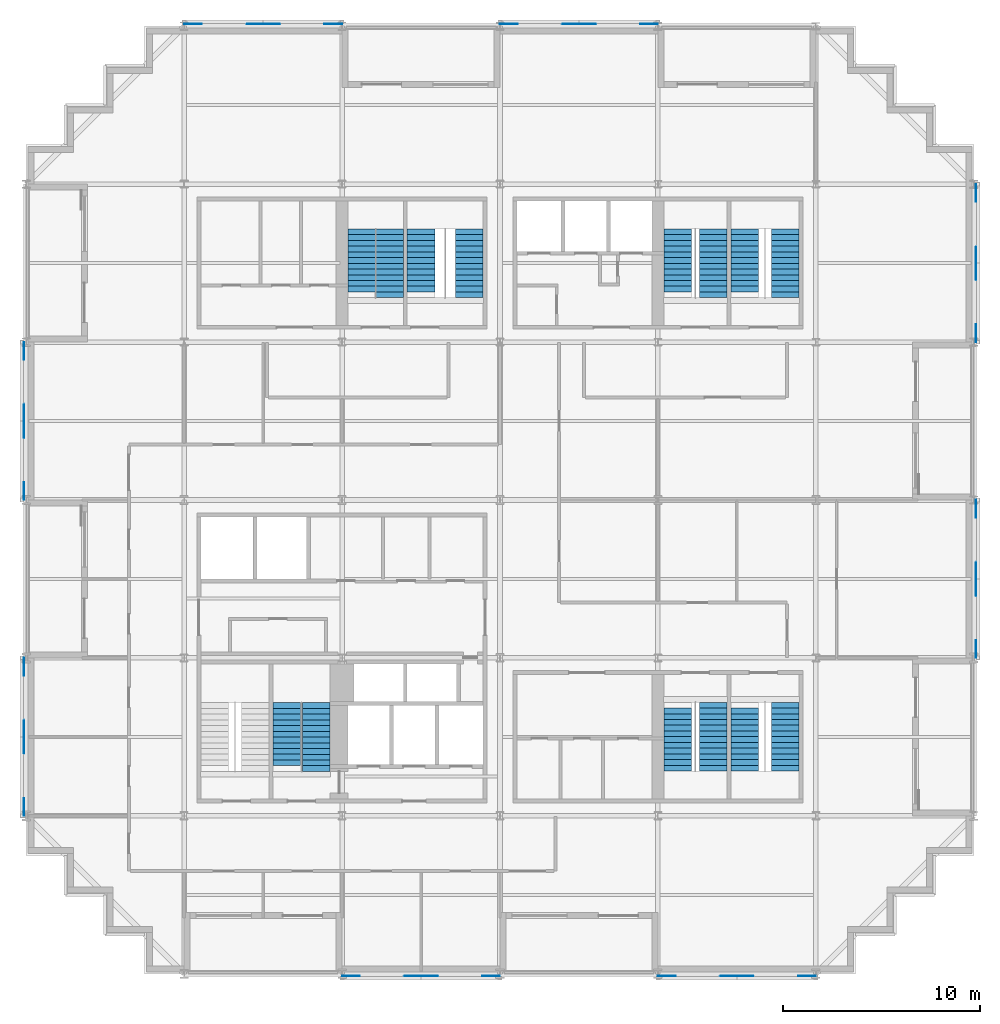
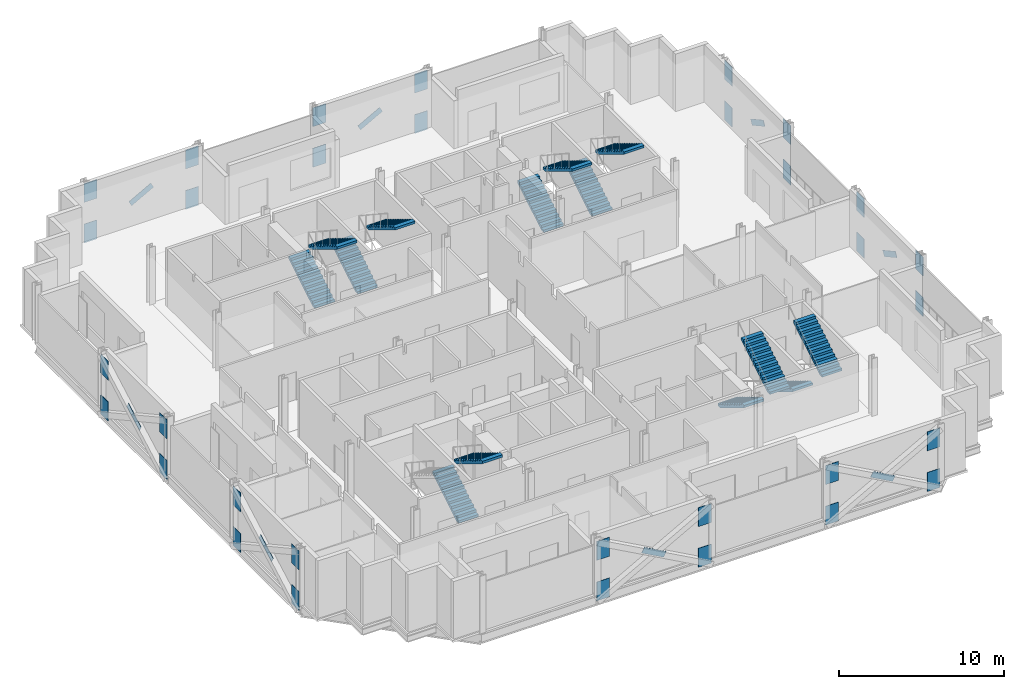
# One storey, part 11 of 13: 40 discrete accessories, 14 stair flights, 7 elements without a shape of their own.
"""IFC4 building model written with IfcOpenShell, lengths in metres."""

from ifc_helpers import new_model, si_unit, direction, frame, origin, origin_2d, place, context, subcontext, project, spatial, polyline, rectangle, outline, extrude, material, material_profile, profile_set, type_object, element, aggregate, save


model = new_model("IFC4")

# Units and contexts
model_context = context("Model", 3, precision=1e-05, world=origin(), true_north=direction((0.0, 1.0)))
body_context = subcontext(model_context, "Body", "Model", "MODEL_VIEW")
ifc_project = project(units=[si_unit("LENGTHUNIT", "METRE"), si_unit("AREAUNIT", "SQUARE_METRE"), si_unit("VOLUMEUNIT", "CUBIC_METRE"), si_unit("PLANEANGLEUNIT", "RADIAN"), si_unit("MASSUNIT", "GRAM", prefix="KILO")], contexts=[model_context])

# Site, building, storey
site_placement = place(None, origin())
site = spatial("IfcSite", under=ifc_project, at=site_placement, CompositionType="ELEMENT")
building_placement = place(site_placement, origin())
building = spatial("IfcBuilding", under=site, at=building_placement, Name="Immortelle Media Tower", CompositionType="ELEMENT")
storey_placement = place(building_placement, frame((0.0, 0.0, 74.39990234375)))
storey = spatial("IfcBuildingStorey", under=building, at=storey_placement, Name="L13", CompositionType="ELEMENT", Elevation=74.39990234375)

# Stair, stair flights
ifc_material_1 = material(Name="Steel ASTM A992 Gr 50", Category="steel")
stair_type = type_object("IfcStairType", Name="Stair with flights", PredefinedType="DOUBLE_RETURN_STAIR", material=ifc_material_1)
stair_1_placement = place(storey_placement, origin())
stair_1 = element("IfcStair", 1, at=stair_1_placement, inside=storey, type_object=stair_type, Name="Exit stair SW2", PredefinedType="DOUBLE_RETURN_STAIR")
stair_flight_type = type_object("IfcStairFlightType", Name="Stair flight 1400", PredefinedType="STRAIGHT", material=ifc_material_1)
stair_flight_1_placement = place(storey_placement, frame((13.199951171875, 10.5400390625, 0.0), z_axis=(0.0, 0.0, 1.0), x_axis=(0.0, 1.0, 0.0)))
stair_flight_1 = element("IfcStairFlight", 2, at=stair_flight_1_placement, type_object=stair_flight_type, Name="ST SW2 flight 1", NumberOfRisers=12, NumberOfTreads=11, PredefinedType="STRAIGHT", RiserHeight=0.176, TreadLength=0.29, context=body_context, shape_type="SweptSolid", body=[
    extrude(outline(polyline([(0.0, 0.0), (0.0, 0.176025390625), (0.2900390625, 0.176025390625), (0.2900390625, 0.35205078125), (0.580078125, 0.35205078125), (0.580078125, 0.528076171875), (0.8701171875, 0.528076171875), (0.8701171875, 0.7041015625), (1.159912109375, 0.7041015625), (1.159912109375, 0.8798828125), (1.449951171875, 0.8798828125), (1.449951171875, 1.055908203125), (1.739990234375, 1.055908203125), (1.739990234375, 1.23193359375), (2.030029296875, 1.23193359375), (2.030029296875, 1.407958984375), (2.320068359375, 1.407958984375), (2.320068359375, 1.583984375), (2.610107421875, 1.583984375), (2.610107421875, 1.760009765625), (2.89990234375, 1.760009765625), (2.89990234375, 1.93603515625), (3.18994140625, 1.93603515625), (3.18994140625, 2.112060546875), (3.18994140625, 1.7607421875), (0.288818359375, 0.0), (0.0, 0.0)])), frame((0.0, 0.699951171875, 0.0), z_axis=(0.0, -1.0, 0.0), x_axis=(1.0, 0.0, 0.0)), (0.0, 0.0, 1.0), 1.39990234375),
])
stair_flight_2_placement = place(storey_placement, frame((14.699951171875, 13.72998046875, 2.112060546875), z_axis=(0.0, 0.0, 1.0), x_axis=(0.0, -1.0, 0.0)))
stair_flight_2 = element("IfcStairFlight", 3, at=stair_flight_2_placement, type_object=stair_flight_type, Name="ST SW2 flight 2", NumberOfRisers=13, NumberOfTreads=12, PredefinedType="STRAIGHT", RiserHeight=0.176, TreadLength=0.29, context=body_context, shape_type="SweptSolid", body=[
    extrude(outline(polyline([(0.0, 0.0), (0.0, 0.176025390625), (0.2900390625, 0.176025390625), (0.2900390625, 0.35205078125), (0.580078125, 0.35205078125), (0.580078125, 0.528076171875), (0.8701171875, 0.528076171875), (0.8701171875, 0.7041015625), (1.159912109375, 0.7041015625), (1.159912109375, 0.8798828125), (1.449951171875, 0.8798828125), (1.449951171875, 1.055908203125), (1.739990234375, 1.055908203125), (1.739990234375, 1.23193359375), (2.030029296875, 1.23193359375), (2.030029296875, 1.407958984375), (2.320068359375, 1.407958984375), (2.320068359375, 1.583984375), (2.610107421875, 1.583984375), (2.610107421875, 1.760009765625), (2.89990234375, 1.760009765625), (2.89990234375, 1.93603515625), (3.18994140625, 1.93603515625), (3.18994140625, 2.112060546875), (3.47998046875, 2.112060546875), (3.47998046875, 2.2880859375), (3.47998046875, 1.936767578125), (0.288818359375, 0.0), (0.0, 0.0)])), frame((0.0, 0.699951171875, 0.0), z_axis=(0.0, -1.0, 0.0), x_axis=(1.0, 0.0, 0.0)), (0.0, 0.0, 1.0), 1.39990234375),
])
aggregate(stair_1, [stair_flight_1, stair_flight_2])

stair_2_placement = place(storey_placement, origin())
stair_2 = element("IfcStair", 4, at=stair_2_placement, inside=storey, type_object=stair_type, Name="Exit stair SE1", PredefinedType="DOUBLE_RETURN_STAIR")
stair_flight_3_placement = place(storey_placement, frame((33.0, 13.4599609375, 0.0), z_axis=(0.0, 0.0, 1.0), x_axis=(0.0, -1.0, 0.0)))
stair_flight_3 = element("IfcStairFlight", 5, at=stair_flight_3_placement, type_object=stair_flight_type, Name="ST SE1 flight 1", NumberOfRisers=12, NumberOfTreads=11, PredefinedType="STRAIGHT", RiserHeight=0.176, TreadLength=0.29, context=body_context, shape_type="SweptSolid", body=[
    extrude(outline(polyline([(0.0, 0.0), (0.0, 0.176025390625), (0.2900390625, 0.176025390625), (0.2900390625, 0.35205078125), (0.580078125, 0.35205078125), (0.580078125, 0.528076171875), (0.8701171875, 0.528076171875), (0.8701171875, 0.7041015625), (1.159912109375, 0.7041015625), (1.159912109375, 0.8798828125), (1.449951171875, 0.8798828125), (1.449951171875, 1.055908203125), (1.739990234375, 1.055908203125), (1.739990234375, 1.23193359375), (2.030029296875, 1.23193359375), (2.030029296875, 1.407958984375), (2.320068359375, 1.407958984375), (2.320068359375, 1.583984375), (2.610107421875, 1.583984375), (2.610107421875, 1.760009765625), (2.89990234375, 1.760009765625), (2.89990234375, 1.93603515625), (3.18994140625, 1.93603515625), (3.18994140625, 2.112060546875), (3.18994140625, 1.7607421875), (0.288818359375, 0.0), (0.0, 0.0)])), frame((0.0, 0.699951171875, 0.0), z_axis=(0.0, -1.0, 0.0), x_axis=(1.0, 0.0, 0.0)), (0.0, 0.0, 1.0), 1.39990234375),
])
stair_flight_4_placement = place(storey_placement, frame((34.800048828125, 10.27001953125, 2.112060546875), z_axis=(0.0, 0.0, 1.0), x_axis=(0.0, 1.0, 0.0)))
stair_flight_4 = element("IfcStairFlight", 6, at=stair_flight_4_placement, type_object=stair_flight_type, Name="ST SE1 flight 2", NumberOfRisers=13, NumberOfTreads=12, PredefinedType="STRAIGHT", RiserHeight=0.176, TreadLength=0.29, context=body_context, shape_type="SweptSolid", body=[
    extrude(outline(polyline([(0.0, 0.0), (0.0, 0.176025390625), (0.2900390625, 0.176025390625), (0.2900390625, 0.35205078125), (0.580078125, 0.35205078125), (0.580078125, 0.528076171875), (0.8701171875, 0.528076171875), (0.8701171875, 0.7041015625), (1.159912109375, 0.7041015625), (1.159912109375, 0.8798828125), (1.449951171875, 0.8798828125), (1.449951171875, 1.055908203125), (1.739990234375, 1.055908203125), (1.739990234375, 1.23193359375), (2.030029296875, 1.23193359375), (2.030029296875, 1.407958984375), (2.320068359375, 1.407958984375), (2.320068359375, 1.583984375), (2.610107421875, 1.583984375), (2.610107421875, 1.760009765625), (2.89990234375, 1.760009765625), (2.89990234375, 1.93603515625), (3.18994140625, 1.93603515625), (3.18994140625, 2.112060546875), (3.47998046875, 2.112060546875), (3.47998046875, 2.2880859375), (3.47998046875, 1.936767578125), (0.288818359375, 0.0), (0.0, 0.0)])), frame((0.0, 0.699951171875, 0.0), z_axis=(0.0, -1.0, 0.0), x_axis=(1.0, 0.0, 0.0)), (0.0, 0.0, 1.0), 1.39990234375),
])
aggregate(stair_2, [stair_flight_3, stair_flight_4])

stair_3_placement = place(storey_placement, origin())
stair_3 = element("IfcStair", 7, at=stair_3_placement, inside=storey, type_object=stair_type, Name="Exit stair SE2", PredefinedType="DOUBLE_RETURN_STAIR")
stair_flight_5_placement = place(storey_placement, frame((36.39990234375, 13.4599609375, 0.0), z_axis=(0.0, 0.0, 1.0), x_axis=(0.0, -1.0, 0.0)))
stair_flight_5 = element("IfcStairFlight", 8, at=stair_flight_5_placement, type_object=stair_flight_type, Name="ST SE2 flight 1", NumberOfRisers=12, NumberOfTreads=11, PredefinedType="STRAIGHT", RiserHeight=0.176, TreadLength=0.29, context=body_context, shape_type="SweptSolid", body=[
    extrude(outline(polyline([(0.0, 0.0), (0.0, 0.176025390625), (0.2900390625, 0.176025390625), (0.2900390625, 0.35205078125), (0.580078125, 0.35205078125), (0.580078125, 0.528076171875), (0.8701171875, 0.528076171875), (0.8701171875, 0.7041015625), (1.159912109375, 0.7041015625), (1.159912109375, 0.8798828125), (1.449951171875, 0.8798828125), (1.449951171875, 1.055908203125), (1.739990234375, 1.055908203125), (1.739990234375, 1.23193359375), (2.030029296875, 1.23193359375), (2.030029296875, 1.407958984375), (2.320068359375, 1.407958984375), (2.320068359375, 1.583984375), (2.610107421875, 1.583984375), (2.610107421875, 1.760009765625), (2.89990234375, 1.760009765625), (2.89990234375, 1.93603515625), (3.18994140625, 1.93603515625), (3.18994140625, 2.112060546875), (3.18994140625, 1.7607421875), (0.288818359375, 0.0), (0.0, 0.0)])), frame((0.0, 0.699951171875, 0.0), z_axis=(0.0, -1.0, 0.0), x_axis=(1.0, 0.0, 0.0)), (0.0, 0.0, 1.0), 1.39990234375),
])
stair_flight_6_placement = place(storey_placement, frame((38.449951171875, 10.27001953125, 2.112060546875), z_axis=(0.0, 0.0, 1.0), x_axis=(0.0, 1.0, 0.0)))
stair_flight_6 = element("IfcStairFlight", 9, at=stair_flight_6_placement, type_object=stair_flight_type, Name="ST SE2 flight 2", NumberOfRisers=13, NumberOfTreads=12, PredefinedType="STRAIGHT", RiserHeight=0.176, TreadLength=0.29, context=body_context, shape_type="SweptSolid", body=[
    extrude(outline(polyline([(0.0, 0.0), (0.0, 0.176025390625), (0.2900390625, 0.176025390625), (0.2900390625, 0.35205078125), (0.580078125, 0.35205078125), (0.580078125, 0.528076171875), (0.8701171875, 0.528076171875), (0.8701171875, 0.7041015625), (1.159912109375, 0.7041015625), (1.159912109375, 0.8798828125), (1.449951171875, 0.8798828125), (1.449951171875, 1.055908203125), (1.739990234375, 1.055908203125), (1.739990234375, 1.23193359375), (2.030029296875, 1.23193359375), (2.030029296875, 1.407958984375), (2.320068359375, 1.407958984375), (2.320068359375, 1.583984375), (2.610107421875, 1.583984375), (2.610107421875, 1.760009765625), (2.89990234375, 1.760009765625), (2.89990234375, 1.93603515625), (3.18994140625, 1.93603515625), (3.18994140625, 2.112060546875), (3.47998046875, 2.112060546875), (3.47998046875, 2.2880859375), (3.47998046875, 1.936767578125), (0.288818359375, 0.0), (0.0, 0.0)])), frame((0.0, 0.699951171875, 0.0), z_axis=(0.0, -1.0, 0.0), x_axis=(1.0, 0.0, 0.0)), (0.0, 0.0, 1.0), 1.39990234375),
])
aggregate(stair_3, [stair_flight_5, stair_flight_6])

stair_4_placement = place(storey_placement, origin())
stair_4 = element("IfcStair", 10, at=stair_4_placement, inside=storey, type_object=stair_type, Name="Exit stair NW1", PredefinedType="DOUBLE_RETURN_STAIR")
stair_flight_7_placement = place(storey_placement, frame((17.0, 34.5400390625, 0.0), z_axis=(0.0, 0.0, 1.0), x_axis=(0.0, 1.0, 0.0)))
stair_flight_7 = element("IfcStairFlight", 11, at=stair_flight_7_placement, type_object=stair_flight_type, Name="ST NW1 flight 1", NumberOfRisers=12, NumberOfTreads=11, PredefinedType="STRAIGHT", RiserHeight=0.176, TreadLength=0.29, context=body_context, shape_type="SweptSolid", body=[
    extrude(outline(polyline([(0.0, 0.0), (0.0, 0.176025390625), (0.2900390625, 0.176025390625), (0.2900390625, 0.35205078125), (0.580078125, 0.35205078125), (0.580078125, 0.528076171875), (0.8701171875, 0.528076171875), (0.8701171875, 0.7041015625), (1.159912109375, 0.7041015625), (1.159912109375, 0.8798828125), (1.449951171875, 0.8798828125), (1.449951171875, 1.055908203125), (1.739990234375, 1.055908203125), (1.739990234375, 1.23193359375), (2.030029296875, 1.23193359375), (2.030029296875, 1.407958984375), (2.320068359375, 1.407958984375), (2.320068359375, 1.583984375), (2.610107421875, 1.583984375), (2.610107421875, 1.760009765625), (2.89990234375, 1.760009765625), (2.89990234375, 1.93603515625), (3.18994140625, 1.93603515625), (3.18994140625, 2.112060546875), (3.18994140625, 1.7607421875), (0.288818359375, 0.0), (0.0, 0.0)])), frame((0.0, 0.699951171875, 0.0), z_axis=(0.0, -1.0, 0.0), x_axis=(1.0, 0.0, 0.0)), (0.0, 0.0, 1.0), 1.39990234375),
])
stair_flight_8_placement = place(storey_placement, frame((18.39990234375, 37.72998046875, 2.112060546875), z_axis=(0.0, 0.0, 1.0), x_axis=(0.0, -1.0, 0.0)))
stair_flight_8 = element("IfcStairFlight", 12, at=stair_flight_8_placement, type_object=stair_flight_type, Name="ST NW1 flight 2", NumberOfRisers=13, NumberOfTreads=12, PredefinedType="STRAIGHT", RiserHeight=0.176, TreadLength=0.29, context=body_context, shape_type="SweptSolid", body=[
    extrude(outline(polyline([(0.0, 0.0), (0.0, 0.176025390625), (0.2900390625, 0.176025390625), (0.2900390625, 0.35205078125), (0.580078125, 0.35205078125), (0.580078125, 0.528076171875), (0.8701171875, 0.528076171875), (0.8701171875, 0.7041015625), (1.159912109375, 0.7041015625), (1.159912109375, 0.8798828125), (1.449951171875, 0.8798828125), (1.449951171875, 1.055908203125), (1.739990234375, 1.055908203125), (1.739990234375, 1.23193359375), (2.030029296875, 1.23193359375), (2.030029296875, 1.407958984375), (2.320068359375, 1.407958984375), (2.320068359375, 1.583984375), (2.610107421875, 1.583984375), (2.610107421875, 1.760009765625), (2.89990234375, 1.760009765625), (2.89990234375, 1.93603515625), (3.18994140625, 1.93603515625), (3.18994140625, 2.112060546875), (3.47998046875, 2.112060546875), (3.47998046875, 2.2880859375), (3.47998046875, 1.936767578125), (0.288818359375, 0.0), (0.0, 0.0)])), frame((0.0, 0.699951171875, 0.0), z_axis=(0.0, -1.0, 0.0), x_axis=(1.0, 0.0, 0.0)), (0.0, 0.0, 1.0), 1.39990234375),
])
aggregate(stair_4, [stair_flight_7, stair_flight_8])

stair_5_placement = place(storey_placement, origin())
stair_5 = element("IfcStair", 13, at=stair_5_placement, inside=storey, type_object=stair_type, Name="Exit stair NW2", PredefinedType="DOUBLE_RETURN_STAIR")
stair_flight_9_placement = place(storey_placement, frame((20.0, 34.5400390625, 0.0), z_axis=(0.0, 0.0, 1.0), x_axis=(0.0, 1.0, 0.0)))
stair_flight_9 = element("IfcStairFlight", 14, at=stair_flight_9_placement, type_object=stair_flight_type, Name="ST NW2 flight 1", NumberOfRisers=12, NumberOfTreads=11, PredefinedType="STRAIGHT", RiserHeight=0.176, TreadLength=0.29, context=body_context, shape_type="SweptSolid", body=[
    extrude(outline(polyline([(0.0, 0.0), (0.0, 0.176025390625), (0.2900390625, 0.176025390625), (0.2900390625, 0.35205078125), (0.580078125, 0.35205078125), (0.580078125, 0.528076171875), (0.8701171875, 0.528076171875), (0.8701171875, 0.7041015625), (1.159912109375, 0.7041015625), (1.159912109375, 0.8798828125), (1.449951171875, 0.8798828125), (1.449951171875, 1.055908203125), (1.739990234375, 1.055908203125), (1.739990234375, 1.23193359375), (2.030029296875, 1.23193359375), (2.030029296875, 1.407958984375), (2.320068359375, 1.407958984375), (2.320068359375, 1.583984375), (2.610107421875, 1.583984375), (2.610107421875, 1.760009765625), (2.89990234375, 1.760009765625), (2.89990234375, 1.93603515625), (3.18994140625, 1.93603515625), (3.18994140625, 2.112060546875), (3.18994140625, 1.7607421875), (0.288818359375, 0.0), (0.0, 0.0)])), frame((0.0, 0.699951171875, 0.0), z_axis=(0.0, -1.0, 0.0), x_axis=(1.0, 0.0, 0.0)), (0.0, 0.0, 1.0), 1.39990234375),
])
stair_flight_10_placement = place(storey_placement, frame((22.449951171875, 37.72998046875, 2.112060546875), z_axis=(0.0, 0.0, 1.0), x_axis=(0.0, -1.0, 0.0)))
stair_flight_10 = element("IfcStairFlight", 15, at=stair_flight_10_placement, type_object=stair_flight_type, Name="ST NW2 flight 2", NumberOfRisers=13, NumberOfTreads=12, PredefinedType="STRAIGHT", RiserHeight=0.176, TreadLength=0.29, context=body_context, shape_type="SweptSolid", body=[
    extrude(outline(polyline([(0.0, 0.0), (0.0, 0.176025390625), (0.2900390625, 0.176025390625), (0.2900390625, 0.35205078125), (0.580078125, 0.35205078125), (0.580078125, 0.528076171875), (0.8701171875, 0.528076171875), (0.8701171875, 0.7041015625), (1.159912109375, 0.7041015625), (1.159912109375, 0.8798828125), (1.449951171875, 0.8798828125), (1.449951171875, 1.055908203125), (1.739990234375, 1.055908203125), (1.739990234375, 1.23193359375), (2.030029296875, 1.23193359375), (2.030029296875, 1.407958984375), (2.320068359375, 1.407958984375), (2.320068359375, 1.583984375), (2.610107421875, 1.583984375), (2.610107421875, 1.760009765625), (2.89990234375, 1.760009765625), (2.89990234375, 1.93603515625), (3.18994140625, 1.93603515625), (3.18994140625, 2.112060546875), (3.47998046875, 2.112060546875), (3.47998046875, 2.2880859375), (3.47998046875, 1.936767578125), (0.288818359375, 0.0), (0.0, 0.0)])), frame((0.0, 0.699951171875, 0.0), z_axis=(0.0, -1.0, 0.0), x_axis=(1.0, 0.0, 0.0)), (0.0, 0.0, 1.0), 1.39990234375),
])
aggregate(stair_5, [stair_flight_9, stair_flight_10])

stair_6_placement = place(storey_placement, origin())
stair_6 = element("IfcStair", 16, at=stair_6_placement, inside=storey, type_object=stair_type, Name="Exit stair NE1", PredefinedType="DOUBLE_RETURN_STAIR")
stair_flight_11_placement = place(storey_placement, frame((33.0, 34.5400390625, 0.0), z_axis=(0.0, 0.0, 1.0), x_axis=(0.0, 1.0, 0.0)))
stair_flight_11 = element("IfcStairFlight", 17, at=stair_flight_11_placement, type_object=stair_flight_type, Name="ST NE1 flight 1", NumberOfRisers=12, NumberOfTreads=11, PredefinedType="STRAIGHT", RiserHeight=0.176, TreadLength=0.29, context=body_context, shape_type="SweptSolid", body=[
    extrude(outline(polyline([(0.0, 0.0), (0.0, 0.176025390625), (0.2900390625, 0.176025390625), (0.2900390625, 0.35205078125), (0.580078125, 0.35205078125), (0.580078125, 0.528076171875), (0.8701171875, 0.528076171875), (0.8701171875, 0.7041015625), (1.159912109375, 0.7041015625), (1.159912109375, 0.8798828125), (1.449951171875, 0.8798828125), (1.449951171875, 1.055908203125), (1.739990234375, 1.055908203125), (1.739990234375, 1.23193359375), (2.030029296875, 1.23193359375), (2.030029296875, 1.407958984375), (2.320068359375, 1.407958984375), (2.320068359375, 1.583984375), (2.610107421875, 1.583984375), (2.610107421875, 1.760009765625), (2.89990234375, 1.760009765625), (2.89990234375, 1.93603515625), (3.18994140625, 1.93603515625), (3.18994140625, 2.112060546875), (3.18994140625, 1.7607421875), (0.288818359375, 0.0), (0.0, 0.0)])), frame((0.0, 0.699951171875, 0.0), z_axis=(0.0, -1.0, 0.0), x_axis=(1.0, 0.0, 0.0)), (0.0, 0.0, 1.0), 1.39990234375),
])
stair_flight_12_placement = place(storey_placement, frame((34.800048828125, 37.72998046875, 2.112060546875), z_axis=(0.0, 0.0, 1.0), x_axis=(0.0, -1.0, 0.0)))
stair_flight_12 = element("IfcStairFlight", 18, at=stair_flight_12_placement, type_object=stair_flight_type, Name="ST NE1 flight 2", NumberOfRisers=13, NumberOfTreads=12, PredefinedType="STRAIGHT", RiserHeight=0.176, TreadLength=0.29, context=body_context, shape_type="SweptSolid", body=[
    extrude(outline(polyline([(0.0, 0.0), (0.0, 0.176025390625), (0.2900390625, 0.176025390625), (0.2900390625, 0.35205078125), (0.580078125, 0.35205078125), (0.580078125, 0.528076171875), (0.8701171875, 0.528076171875), (0.8701171875, 0.7041015625), (1.159912109375, 0.7041015625), (1.159912109375, 0.8798828125), (1.449951171875, 0.8798828125), (1.449951171875, 1.055908203125), (1.739990234375, 1.055908203125), (1.739990234375, 1.23193359375), (2.030029296875, 1.23193359375), (2.030029296875, 1.407958984375), (2.320068359375, 1.407958984375), (2.320068359375, 1.583984375), (2.610107421875, 1.583984375), (2.610107421875, 1.760009765625), (2.89990234375, 1.760009765625), (2.89990234375, 1.93603515625), (3.18994140625, 1.93603515625), (3.18994140625, 2.112060546875), (3.47998046875, 2.112060546875), (3.47998046875, 2.2880859375), (3.47998046875, 1.936767578125), (0.288818359375, 0.0), (0.0, 0.0)])), frame((0.0, 0.699951171875, 0.0), z_axis=(0.0, -1.0, 0.0), x_axis=(1.0, 0.0, 0.0)), (0.0, 0.0, 1.0), 1.39990234375),
])
aggregate(stair_6, [stair_flight_11, stair_flight_12])

stair_7_placement = place(storey_placement, origin())
stair_7 = element("IfcStair", 19, at=stair_7_placement, inside=storey, type_object=stair_type, Name="Exit stair NE2", PredefinedType="DOUBLE_RETURN_STAIR")
stair_flight_13_placement = place(storey_placement, frame((36.39990234375, 34.5400390625, 0.0), z_axis=(0.0, 0.0, 1.0), x_axis=(0.0, 1.0, 0.0)))
stair_flight_13 = element("IfcStairFlight", 20, at=stair_flight_13_placement, type_object=stair_flight_type, Name="ST NE2 flight 1", NumberOfRisers=12, NumberOfTreads=11, PredefinedType="STRAIGHT", RiserHeight=0.176, TreadLength=0.29, context=body_context, shape_type="SweptSolid", body=[
    extrude(outline(polyline([(0.0, 0.0), (0.0, 0.176025390625), (0.2900390625, 0.176025390625), (0.2900390625, 0.35205078125), (0.580078125, 0.35205078125), (0.580078125, 0.528076171875), (0.8701171875, 0.528076171875), (0.8701171875, 0.7041015625), (1.159912109375, 0.7041015625), (1.159912109375, 0.8798828125), (1.449951171875, 0.8798828125), (1.449951171875, 1.055908203125), (1.739990234375, 1.055908203125), (1.739990234375, 1.23193359375), (2.030029296875, 1.23193359375), (2.030029296875, 1.407958984375), (2.320068359375, 1.407958984375), (2.320068359375, 1.583984375), (2.610107421875, 1.583984375), (2.610107421875, 1.760009765625), (2.89990234375, 1.760009765625), (2.89990234375, 1.93603515625), (3.18994140625, 1.93603515625), (3.18994140625, 2.112060546875), (3.18994140625, 1.7607421875), (0.288818359375, 0.0), (0.0, 0.0)])), frame((0.0, 0.699951171875, 0.0), z_axis=(0.0, -1.0, 0.0), x_axis=(1.0, 0.0, 0.0)), (0.0, 0.0, 1.0), 1.39990234375),
])
stair_flight_14_placement = place(storey_placement, frame((38.449951171875, 37.72998046875, 2.112060546875), z_axis=(0.0, 0.0, 1.0), x_axis=(0.0, -1.0, 0.0)))
stair_flight_14 = element("IfcStairFlight", 21, at=stair_flight_14_placement, type_object=stair_flight_type, Name="ST NE2 flight 2", NumberOfRisers=13, NumberOfTreads=12, PredefinedType="STRAIGHT", RiserHeight=0.176, TreadLength=0.29, context=body_context, shape_type="SweptSolid", body=[
    extrude(outline(polyline([(0.0, 0.0), (0.0, 0.176025390625), (0.2900390625, 0.176025390625), (0.2900390625, 0.35205078125), (0.580078125, 0.35205078125), (0.580078125, 0.528076171875), (0.8701171875, 0.528076171875), (0.8701171875, 0.7041015625), (1.159912109375, 0.7041015625), (1.159912109375, 0.8798828125), (1.449951171875, 0.8798828125), (1.449951171875, 1.055908203125), (1.739990234375, 1.055908203125), (1.739990234375, 1.23193359375), (2.030029296875, 1.23193359375), (2.030029296875, 1.407958984375), (2.320068359375, 1.407958984375), (2.320068359375, 1.583984375), (2.610107421875, 1.583984375), (2.610107421875, 1.760009765625), (2.89990234375, 1.760009765625), (2.89990234375, 1.93603515625), (3.18994140625, 1.93603515625), (3.18994140625, 2.112060546875), (3.47998046875, 2.112060546875), (3.47998046875, 2.2880859375), (3.47998046875, 1.936767578125), (0.288818359375, 0.0), (0.0, 0.0)])), frame((0.0, 0.699951171875, 0.0), z_axis=(0.0, -1.0, 0.0), x_axis=(1.0, 0.0, 0.0)), (0.0, 0.0, 1.0), 1.39990234375),
])
aggregate(stair_7, [stair_flight_13, stair_flight_14])

# Discrete accessories
ifc_material_2 = material(Name="Steel ASTM A572 Gr 50", Category="steel")
ifc_material_profile_1 = material_profile(ifc_material_2, rectangle(XDim=0.031982421875, YDim=0.406005859375, at=origin_2d()), Name="PL 32 x 406")
ifc_profile_set_1 = profile_set([ifc_material_profile_1], Name="Steel ASTM A572 Gr 50")
discrete_accessory_type_1 = type_object("IfcDiscreteAccessoryType", Name="Crossing plate XP-BR3 1750 x 406 x 32", PredefinedType="USERDEFINED", material=ifc_profile_set_1)
for number, where, z_axis, x_axis, name in (
    (22, (-0.113037109375, 28.7666015625, 2.125244140625), (0.0, -0.876215908677, -0.481918749772), (1.0, 0.0, 0.0), "Crossing plate XP-BR3 of Brace 1/D-E A and Brace 1/D-E B"),
    (23, (-0.113037109375, 12.7666015625, 2.125244140625), (0.0, -0.876215908677, -0.481918749772), (1.0, 0.0, 0.0), "Crossing plate XP-BR3 of Brace 1/B-C A and Brace 1/B-C B"),
    (24, (48.113037109375, 19.2333984375, 2.125244140625), (0.0, 0.876215908677, -0.481918749772), (-1.0, 0.0, 0.0), "Crossing plate XP-BR3 of Brace 7/C-D A and Brace 7/C-D B"),
    (25, (48.113037109375, 35.2333984375, 2.125244140625), (0.0, 0.876215908677, -0.481918749772), (-1.0, 0.0, 0.0), "Crossing plate XP-BR3 of Brace 7/E-F A and Brace 7/E-F B"),
    (26, (28.7666015625, 48.113037109375, 2.125244140625), (-0.876215908677, 0.0, -0.481918749772), (0.0, -1.0, 0.0), "Crossing plate XP-BR3 of Brace G/4-5 A and Brace G/4-5 B"),
    (27, (12.7666015625, 48.113037109375, 2.125244140625), (-0.876215908677, 0.0, -0.481918749772), (0.0, -1.0, 0.0), "Crossing plate XP-BR3 of Brace G/2-3 A and Brace G/2-3 B"),
    (28, (19.2333984375, -0.113037109375, 2.125244140625), (0.876215908677, 0.0, -0.481918749772), (0.0, 1.0, 0.0), "Crossing plate XP-BR3 of Brace A/3-4 A and Brace A/3-4 B"),
    (29, (35.2333984375, -0.113037109375, 2.125244140625), (0.876215908677, 0.0, -0.481918749772), (0.0, 1.0, 0.0), "Crossing plate XP-BR3 of Brace A/5-6 A and Brace A/5-6 B"),
):
    element("IfcDiscreteAccessory", number, at=place(storey_placement, frame(where, z_axis=z_axis, x_axis=x_axis)), inside=storey, type_object=discrete_accessory_type_1, Name=name, ObjectType="CROSSING PLATE", PredefinedType="USERDEFINED", context=body_context, shape_type="SweptSolid", body=[
        extrude(rectangle(XDim=0.031982421875, YDim=0.406005859375, at=origin_2d()), origin(), (0.0, 0.0, 1.0), 1.749755859375),
    ])
ifc_material_profile_2 = material_profile(ifc_material_2, rectangle(XDim=0.031982421875, YDim=1.39990234375, at=origin_2d()), Name="PL 32 x 1400")
ifc_profile_set_2 = profile_set([ifc_material_profile_2], Name="Steel ASTM A572 Gr 50")
discrete_accessory_type_2 = type_object("IfcDiscreteAccessoryType", Name="Gusset plate GP1 900 x 1400 x 32", PredefinedType="USERDEFINED", material=ifc_profile_set_2)
for number, where, z_axis, x_axis, name in (
    (30, (-0.113037109375, 32.0, 0.20361328125), (0.0, -1.0, 0.0), (1.0, 0.0, 0.0), "Gusset plate GP1, lower end of Brace 1/D-E A"),
    (31, (-0.113037109375, 24.0, 3.20361328125), (0.0, 1.0, 0.0), (-1.0, 0.0, 0.0), "Gusset plate GP1, upper end of Brace 1/D-E A"),
    (32, (-0.113037109375, 24.0, 0.20361328125), (0.0, 1.0, 0.0), (-1.0, 0.0, 0.0), "Gusset plate GP1, lower end of Brace 1/D-E B"),
    (33, (-0.113037109375, 32.0, 3.20361328125), (0.0, -1.0, 0.0), (1.0, 0.0, 0.0), "Gusset plate GP1, upper end of Brace 1/D-E B"),
    (34, (-0.113037109375, 16.0, 0.20361328125), (0.0, -1.0, 0.0), (1.0, 0.0, 0.0), "Gusset plate GP1, lower end of Brace 1/B-C A"),
    (35, (-0.113037109375, 8.0, 3.20361328125), (0.0, 1.0, 0.0), (-1.0, 0.0, 0.0), "Gusset plate GP1, upper end of Brace 1/B-C A"),
    (36, (-0.113037109375, 8.0, 0.20361328125), (0.0, 1.0, 0.0), (-1.0, 0.0, 0.0), "Gusset plate GP1, lower end of Brace 1/B-C B"),
    (37, (-0.113037109375, 16.0, 3.20361328125), (0.0, -1.0, 0.0), (1.0, 0.0, 0.0), "Gusset plate GP1, upper end of Brace 1/B-C B"),
    (38, (16.0, -0.113037109375, 0.20361328125), (1.0, 0.0, 0.0), (0.0, 1.0, 0.0), "Gusset plate GP1, lower end of Brace A/3-4 A"),
    (39, (24.0, -0.113037109375, 3.20361328125), (-1.0, 0.0, 0.0), (0.0, -1.0, 0.0), "Gusset plate GP1, upper end of Brace A/3-4 A"),
    (40, (24.0, -0.113037109375, 0.20361328125), (-1.0, 0.0, 0.0), (0.0, -1.0, 0.0), "Gusset plate GP1, lower end of Brace A/3-4 B"),
    (41, (16.0, -0.113037109375, 3.20361328125), (1.0, 0.0, 0.0), (0.0, 1.0, 0.0), "Gusset plate GP1, upper end of Brace A/3-4 B"),
    (42, (32.0, -0.113037109375, 0.20361328125), (1.0, 0.0, 0.0), (0.0, 1.0, 0.0), "Gusset plate GP1, lower end of Brace A/5-6 A"),
    (43, (40.0, -0.113037109375, 3.20361328125), (-1.0, 0.0, 0.0), (0.0, -1.0, 0.0), "Gusset plate GP1, upper end of Brace A/5-6 A"),
    (44, (40.0, -0.113037109375, 0.20361328125), (-1.0, 0.0, 0.0), (0.0, -1.0, 0.0), "Gusset plate GP1, lower end of Brace A/5-6 B"),
    (45, (32.0, -0.113037109375, 3.20361328125), (1.0, 0.0, 0.0), (0.0, 1.0, 0.0), "Gusset plate GP1, upper end of Brace A/5-6 B"),
    (46, (48.113037109375, 16.0, 0.20361328125), (0.0, 1.0, 0.0), (-1.0, 0.0, 0.0), "Gusset plate GP1, lower end of Brace 7/C-D A"),
    (47, (48.113037109375, 24.0, 3.20361328125), (0.0, -1.0, 0.0), (1.0, 0.0, 0.0), "Gusset plate GP1, upper end of Brace 7/C-D A"),
    (48, (48.113037109375, 24.0, 0.20361328125), (0.0, -1.0, 0.0), (1.0, 0.0, 0.0), "Gusset plate GP1, lower end of Brace 7/C-D B"),
    (49, (48.113037109375, 16.0, 3.20361328125), (0.0, 1.0, 0.0), (-1.0, 0.0, 0.0), "Gusset plate GP1, upper end of Brace 7/C-D B"),
    (50, (48.113037109375, 32.0, 0.20361328125), (0.0, 1.0, 0.0), (-1.0, 0.0, 0.0), "Gusset plate GP1, lower end of Brace 7/E-F A"),
    (51, (48.113037109375, 40.0, 3.20361328125), (0.0, -1.0, 0.0), (1.0, 0.0, 0.0), "Gusset plate GP1, upper end of Brace 7/E-F A"),
    (52, (48.113037109375, 40.0, 0.20361328125), (0.0, -1.0, 0.0), (1.0, 0.0, 0.0), "Gusset plate GP1, lower end of Brace 7/E-F B"),
    (53, (48.113037109375, 32.0, 3.20361328125), (0.0, 1.0, 0.0), (-1.0, 0.0, 0.0), "Gusset plate GP1, upper end of Brace 7/E-F B"),
    (54, (32.0, 48.113037109375, 0.20361328125), (-1.0, 0.0, 0.0), (0.0, -1.0, 0.0), "Gusset plate GP1, lower end of Brace G/4-5 A"),
    (55, (24.0, 48.113037109375, 3.20361328125), (1.0, 0.0, 0.0), (0.0, 1.0, 0.0), "Gusset plate GP1, upper end of Brace G/4-5 A"),
    (56, (24.0, 48.113037109375, 0.20361328125), (1.0, 0.0, 0.0), (0.0, 1.0, 0.0), "Gusset plate GP1, lower end of Brace G/4-5 B"),
    (57, (32.0, 48.113037109375, 3.20361328125), (-1.0, 0.0, 0.0), (0.0, -1.0, 0.0), "Gusset plate GP1, upper end of Brace G/4-5 B"),
    (58, (16.0, 48.113037109375, 0.20361328125), (-1.0, 0.0, 0.0), (0.0, -1.0, 0.0), "Gusset plate GP1, lower end of Brace G/2-3 A"),
    (59, (8.0, 48.113037109375, 3.20361328125), (1.0, 0.0, 0.0), (0.0, 1.0, 0.0), "Gusset plate GP1, upper end of Brace G/2-3 A"),
    (60, (8.0, 48.113037109375, 0.20361328125), (1.0, 0.0, 0.0), (0.0, 1.0, 0.0), "Gusset plate GP1, lower end of Brace G/2-3 B"),
    (61, (16.0, 48.113037109375, 3.20361328125), (-1.0, 0.0, 0.0), (0.0, -1.0, 0.0), "Gusset plate GP1, upper end of Brace G/2-3 B"),
):
    element("IfcDiscreteAccessory", number, at=place(storey_placement, frame(where, z_axis=z_axis, x_axis=x_axis)), inside=storey, type_object=discrete_accessory_type_2, Name=name, ObjectType="GUSSET PLATE", PredefinedType="USERDEFINED", context=body_context, shape_type="SweptSolid", body=[
        extrude(rectangle(XDim=0.031982421875, YDim=1.39990234375, at=origin_2d()), origin(), (0.0, 0.0, 1.0), 0.89990234375),
    ])

save(model, "model.ifc")
